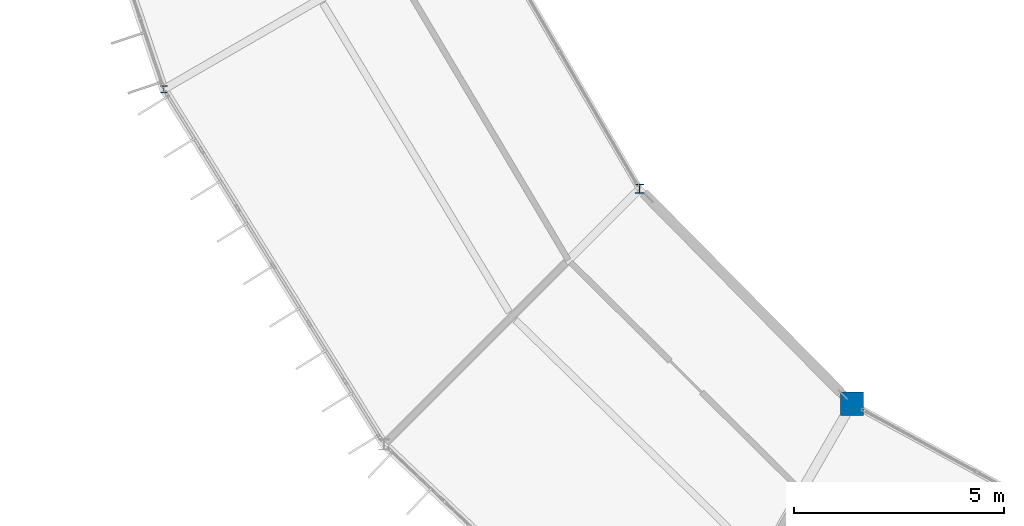
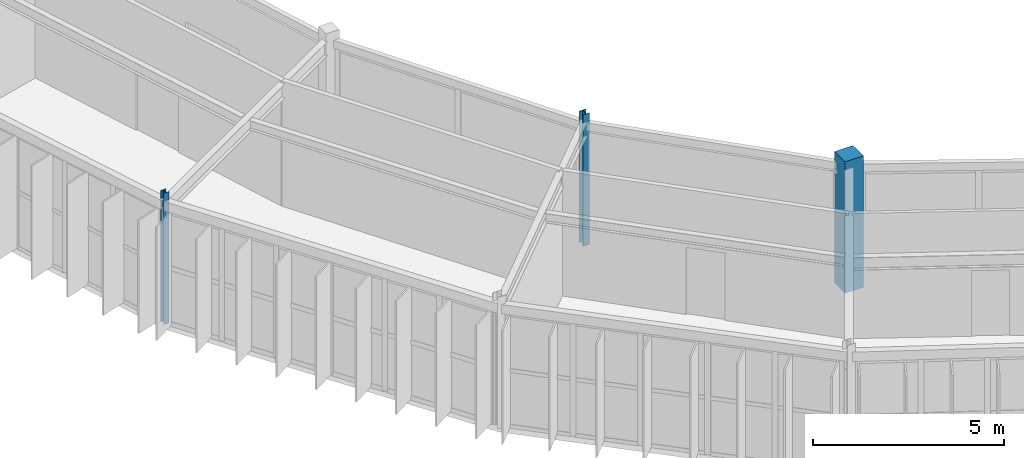
# One storey, part 3 of 130: 3 columns.
"""IFC4 building model written with IfcOpenShell, lengths in metres."""

import ifcopenshell
import ifcopenshell.guid

model = None  # the IFC model being written
_history = None  # IfcOwnerHistory: only IFC2X3 demands one
_inside = {}  # id of a spatial element -> (the spatial element, [elements in it])
_under = {}  # id of a project, library or spatial element -> (it, [spatial elements below it])
_declared = {}  # id of a project -> (the project, [libraries it declares])
_typed = {}  # id of a type object -> (the type object, [elements of that type])
_made_of = {}  # id of a material, layer set ... -> (it, [elements and type objects made of it])


def new_model(schema):
    """Start an empty IFC model of exactly this schema.

    Asked for "IFC4X3", IfcOpenShell would pick the latest addendum, in which some entities
    have other attributes; the version numbers below select the first issue.
    IFC2X3 requires an IfcOwnerHistory on every rooted entity: one is made here for all.
    """
    global model, _history
    if schema == "IFC4X3":
        model = ifcopenshell.file(schema_version=(4, 3, 0, 0))
    else:
        model = ifcopenshell.file(schema=schema)
    _inside.clear()
    _under.clear()
    _declared.clear()
    _typed.clear()
    _made_of.clear()
    _history = None
    if model.schema == "IFC2X3":
        org = make("IfcOrganization", Name="unknown")
        user = make(
            "IfcPersonAndOrganization",
            ThePerson=make("IfcPerson", FamilyName="unknown"),
            TheOrganization=org,
        )
        app = make(
            "IfcApplication",
            ApplicationDeveloper=org,
            Version="unknown",
            ApplicationFullName="unknown",
            ApplicationIdentifier="unknown",
        )
        _history = make(
            "IfcOwnerHistory",
            OwningUser=user,
            OwningApplication=app,
            ChangeAction="ADDED",
            CreationDate=0,
        )
    return model


def make(cls, **values):
    """One entity of the class cls with the attributes given. An attribute that is None is left unset."""
    return model.create_entity(
        cls, **{name: value for name, value in values.items() if value is not None}
    )


def rooted(cls, **values):
    """An entity with a GlobalId (a new one), such as an element, a storey or a relation."""
    return make(cls, GlobalId=ifcopenshell.guid.new(), OwnerHistory=_history, **values)


def si_unit(unit_type, name, prefix=None):
    """IfcSIUnit, for example si_unit("LENGTHUNIT", "METRE", prefix="MILLI")."""
    return make("IfcSIUnit", UnitType=unit_type, Prefix=prefix, Name=name)


def assignment(units):
    """IfcUnitAssignment: the units of a project."""
    return None if units is None else make("IfcUnitAssignment", Units=units)


def point(xyz):
    """IfcCartesianPoint."""
    return None if xyz is None else make("IfcCartesianPoint", Coordinates=xyz)


def direction(xyz):
    """IfcDirection."""
    return None if xyz is None else make("IfcDirection", DirectionRatios=xyz)


def frame(location, z_axis=None, x_axis=None):
    """IfcAxis2Placement3D, a coordinate frame: its origin and axes. An axis left out is left unset."""
    return make(
        "IfcAxis2Placement3D",
        Location=point(location),
        Axis=direction(z_axis),
        RefDirection=direction(x_axis),
    )


def frame_2d(location, x_axis=None):
    """IfcAxis2Placement2D, a coordinate frame in the plane: its origin and x axis."""
    return make(
        "IfcAxis2Placement2D", Location=point(location), RefDirection=direction(x_axis)
    )


def origin():
    """The frame at (0, 0, 0) with its axes left unset."""
    return frame((0.0, 0.0, 0.0))


def origin_2d():
    """The frame at (0, 0) in the plane with its x axis left unset."""
    return frame_2d((0.0, 0.0))


def place(relative_to, where):
    """IfcLocalPlacement: puts the frame where relative to a parent placement (None: the world)."""
    return make(
        "IfcLocalPlacement", PlacementRelTo=relative_to, RelativePlacement=where
    )


def context(
    kind, dimensions, precision=None, world=None, true_north=None, identifier=None
):
    """IfcGeometricRepresentationContext, for example the 3D "Model" context."""
    return make(
        "IfcGeometricRepresentationContext",
        ContextIdentifier=identifier,
        ContextType=kind,
        CoordinateSpaceDimension=dimensions,
        Precision=precision,
        WorldCoordinateSystem=world,
        TrueNorth=true_north,
    )


def subcontext(parent, identifier, kind, view, scale=None):
    """IfcGeometricRepresentationSubContext, for example "Body" below "Model"."""
    return make(
        "IfcGeometricRepresentationSubContext",
        ContextIdentifier=identifier,
        ContextType=kind,
        ParentContext=parent,
        TargetScale=scale,
        TargetView=view,
    )


def project(units=None, contexts=None):
    """IfcProject with its units and contexts."""
    return rooted(
        "IfcProject",
        Name="project",
        RepresentationContexts=contexts,
        UnitsInContext=assignment(units),
    )


def spatial(cls, under=None, at=None, **own):
    """A site, building, storey or space (cls), placed at a placement, below another one or the project."""
    s = rooted(cls, ObjectPlacement=at, **own)
    if under is not None:
        _under.setdefault(under.id(), (under, []))[1].append(s)
    return s


def profile(cls, at=None, kind="AREA", **sizes):
    """A parametric profile (cls). Its sizes go by their IFC names, for example OverallWidth=200.0."""
    return make(cls, ProfileType=kind, Position=at, **sizes)


def rectangle(**sizes):
    """IfcRectangleProfileDef."""
    return profile("IfcRectangleProfileDef", **sizes)


def i_section(**sizes):
    """IfcIShapeProfileDef."""
    return profile("IfcIShapeProfileDef", **sizes)


def extrude(swept, where, along, depth):
    """IfcExtrudedAreaSolid: the profile swept, set in the frame where, extruded along a direction by depth."""
    return make(
        "IfcExtrudedAreaSolid",
        SweptArea=swept,
        Position=where,
        ExtrudedDirection=direction(along),
        Depth=depth,
    )


def shape(context_of_items, identifier, shape_type, items):
    """IfcShapeRepresentation: the items that make up one representation, for example the "Body"."""
    return make(
        "IfcShapeRepresentation",
        ContextOfItems=context_of_items,
        RepresentationIdentifier=identifier,
        RepresentationType=shape_type,
        Items=items,
    )


def material(Name=None, Category=None):
    """IfcMaterial."""
    return make("IfcMaterial", Name=Name, Category=Category)


def material_profile(
    of_material, cross_section, Name=None, Category=None, Priority=None
):
    """IfcMaterialProfile: a cross section and its material."""
    return make(
        "IfcMaterialProfile",
        Name=Name,
        Material=of_material,
        Profile=cross_section,
        Priority=Priority,
        Category=Category,
    )


def profile_set(profiles, Name=None, composite=None):
    """IfcMaterialProfileSet."""
    return make(
        "IfcMaterialProfileSet",
        Name=Name,
        MaterialProfiles=profiles,
        CompositeProfile=composite,
    )


def made_of(thing, what):
    """Note that an element or type object is made of a material, layer set ...; save() writes the relation."""
    if what is not None:
        _made_of.setdefault(what.id(), (what, []))[1].append(thing)
    return thing


def type_object(cls, material=None, **own):
    """A type object (cls), such as IfcWallType, which elements share."""
    return made_of(rooted(cls, **own), material)


def element(
    cls,
    number,
    at=None,
    inside=None,
    cuts=None,
    type_object=None,
    material=None,
    context=None,
    identifier="Body",
    shape_type=None,
    held_by="IfcProductDefinitionShape",
    body=None,
    shapes=None,
    **own,
):
    """One element of the class cls, such as IfcWall. Its Tag is "e" and its number.

    at: its placement. inside: the storey or other place that contains it. cuts: it is an
    opening in that element (IfcRelVoidsElement). A single representation is given by context,
    identifier, shape_type and body (its items); several are given by shapes. held_by: the class
    of the entity that holds the representations. save() writes the other relations.
    """
    e = rooted(cls, Tag="e%d" % number, ObjectPlacement=at, **own)
    if body is not None:
        shapes = [shape(context, identifier, shape_type, body)]
    if shapes is not None:
        e.Representation = make(held_by, Representations=shapes)
    if inside is not None:
        _inside.setdefault(inside.id(), (inside, []))[1].append(e)
    if cuts is not None:
        rooted(
            "IfcRelVoidsElement", RelatingBuildingElement=cuts, RelatedOpeningElement=e
        )
    if type_object is not None:
        _typed.setdefault(type_object.id(), (type_object, []))[1].append(e)
    return made_of(e, material)


def aggregate(whole, parts):
    """IfcRelAggregates: a whole, such as a stair, and the parts it consists of."""
    return rooted("IfcRelAggregates", RelatingObject=whole, RelatedObjects=parts)


def save(model, path):
    """Write the relations noted so far, then the file.

    IfcRelAggregates (storeys below a building ...), IfcRelContainedInSpatialStructure (elements
    in a storey), IfcRelDefinesByType, IfcRelAssociatesMaterial and IfcRelDeclares: one each for
    every whole, place, type object, material and project.
    """
    for whole, parts in _under.values():
        aggregate(whole, parts)
    for where, things in _inside.values():
        rooted(
            "IfcRelContainedInSpatialStructure",
            RelatedElements=things,
            RelatingStructure=where,
        )
    for kind, things in _typed.values():
        rooted("IfcRelDefinesByType", RelatedObjects=things, RelatingType=kind)
    for what, things in _made_of.values():
        rooted("IfcRelAssociatesMaterial", RelatedObjects=things, RelatingMaterial=what)
    for by, libraries in _declared.values():
        rooted("IfcRelDeclares", RelatingContext=by, RelatedDefinitions=libraries)
    model.write(path)


model = new_model("IFC4")

# Units and contexts
model_context = context("Model", 3, precision=1e-05, world=origin(), true_north=direction((0.0, 1.0)))
body_context = subcontext(model_context, "Body", "Model", "MODEL_VIEW")
ifc_project = project(units=[si_unit("LENGTHUNIT", "METRE"), si_unit("AREAUNIT", "SQUARE_METRE"), si_unit("VOLUMEUNIT", "CUBIC_METRE"), si_unit("PLANEANGLEUNIT", "RADIAN"), si_unit("MASSUNIT", "GRAM", prefix="KILO")], contexts=[model_context])

# Site, building, storey
site_placement = place(None, origin())
site = spatial("IfcSite", under=ifc_project, at=site_placement, CompositionType="ELEMENT")
building_placement = place(site_placement, origin())
building = spatial("IfcBuilding", under=site, at=building_placement, Name="Karori Crest Natural Sciences Institute", CompositionType="ELEMENT")
storey_placement = place(building_placement, frame((0.0, 0.0, 17.5)))
storey = spatial("IfcBuildingStorey", under=building, at=storey_placement, Name="L04", CompositionType="ELEMENT", Elevation=17.5)

# Columns
ifc_material_1 = material(Name="Structural steel AS/NZS 3679.1 Grade 350", Category="steel")
ifc_material_profile_1 = material_profile(ifc_material_1, i_section(OverallWidth=0.205078125, OverallDepth=0.2099609375, WebThickness=0.00927734375, FlangeThickness=0.01416015625, FilletRadius=0.010986328125, at=origin_2d()), Name="200UC59.5")
ifc_profile_set_1 = profile_set([ifc_material_profile_1], Name="Structural steel AS/NZS 3679.1 Grade 350")
column_type_1 = type_object("IfcColumnType", Name="CT-08", PredefinedType="COLUMN", material=ifc_profile_set_1)
column_1_placement = place(storey_placement, frame((49.146484375, 27.131103515625, 0.0), z_axis=(0.0, 0.0, 1.0), x_axis=(1.0, 0.0, 0.0)))
element("IfcColumn", 1, at=column_1_placement, inside=storey, type_object=column_type_1, Name="Column C-0262", PredefinedType="COLUMN", context=body_context, shape_type="SweptSolid", body=[
    extrude(i_section(OverallWidth=0.205078125, OverallDepth=0.2099609375, WebThickness=0.00927734375, FlangeThickness=0.01416015625, FilletRadius=0.010986328125, at=origin_2d()), origin(), (0.0, 0.0, 1.0), 4.199951171875),
])
ifc_material_profile_2 = material_profile(ifc_material_1, i_section(OverallWidth=0.154052734375, OverallDepth=0.162109375, WebThickness=0.008056640625, FlangeThickness=0.011474609375, FilletRadius=0.009033203125, at=origin_2d()), Name="150UC37.2")
ifc_profile_set_2 = profile_set([ifc_material_profile_2], Name="Structural steel AS/NZS 3679.1 Grade 350")
column_type_2 = type_object("IfcColumnType", Name="CT-26", PredefinedType="COLUMN", material=ifc_profile_set_2)
column_2_placement = place(storey_placement, frame((37.8212890625, 29.5, 0.0), z_axis=(0.0, 0.0, 1.0), x_axis=(1.0, 0.0, 0.0)))
element("IfcColumn", 2, at=column_2_placement, inside=storey, type_object=column_type_2, Name="Column C-0247", PredefinedType="COLUMN", context=body_context, shape_type="SweptSolid", body=[
    extrude(i_section(OverallWidth=0.154052734375, OverallDepth=0.162109375, WebThickness=0.008056640625, FlangeThickness=0.011474609375, FilletRadius=0.009033203125, at=origin_2d()), origin(), (0.0, 0.0, 1.0), 4.199951171875),
])
ifc_material_2 = material(Name="Concrete 50 MPa", Category="concrete")
ifc_material_profile_3 = material_profile(ifc_material_2, rectangle(XDim=0.550048828125, YDim=0.550048828125, at=origin_2d()), Name="RC550x550")
ifc_profile_set_3 = profile_set([ifc_material_profile_3], Name="Concrete 50 MPa")
column_type_3 = type_object("IfcColumnType", Name="CT-30", PredefinedType="COLUMN", material=ifc_profile_set_3)
column_3_placement = place(storey_placement, frame((54.199951171875, 22.013916015625, 0.0), z_axis=(0.0, 0.0, 1.0), x_axis=(1.0, 0.0, 0.0)))
element("IfcColumn", 3, at=column_3_placement, inside=storey, type_object=column_type_3, Name="Column C-0276", PredefinedType="COLUMN", context=body_context, shape_type="SweptSolid", body=[
    extrude(rectangle(XDim=0.550048828125, YDim=0.550048828125, at=origin_2d()), origin(), (0.0, 0.0, 1.0), 4.199951171875),
])

save(model, "model.ifc")
